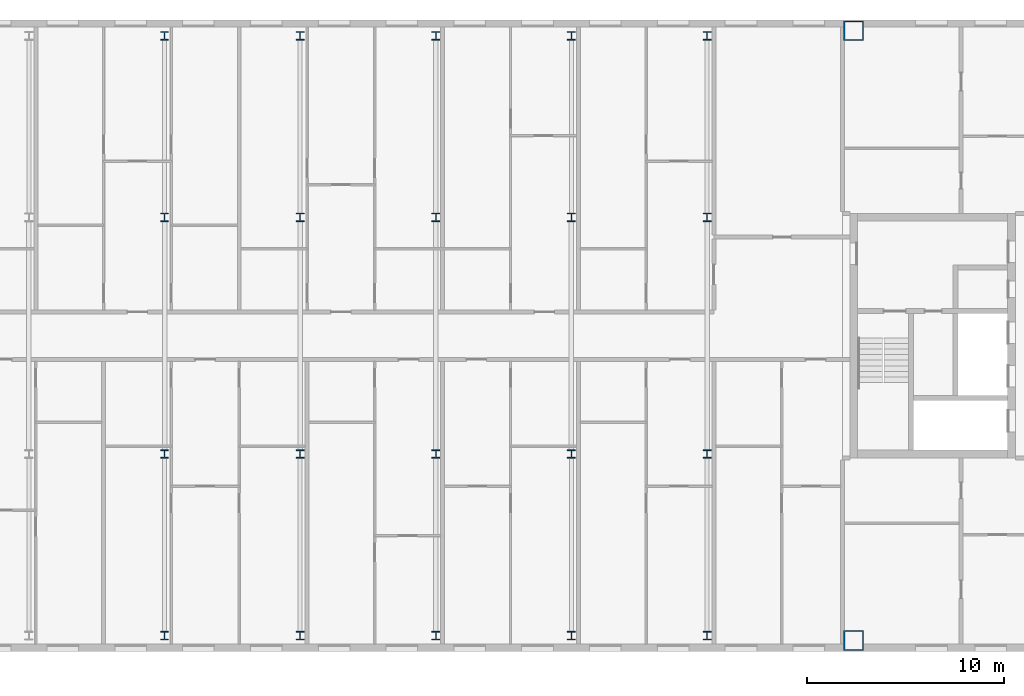
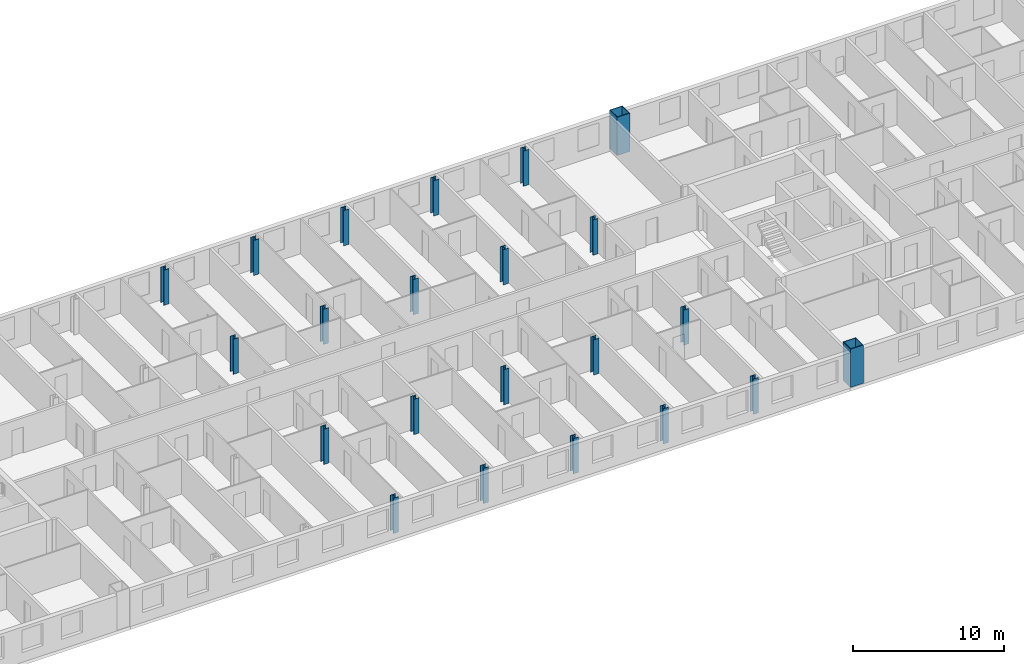
# One storey, part 2 of 19: 22 columns.
"""IFC4 building model written with IfcOpenShell, lengths in metres."""

from ifc_helpers import new_model, si_unit, direction, frame, origin, origin_2d, place, context, subcontext, project, spatial, hollow_rectangle, i_section, extrude, material, material_profile, profile_set, type_object, element, save


model = new_model("IFC4")

# Units and contexts
model_context = context("Model", 3, precision=1e-05, world=origin(), true_north=direction((0.0, 1.0)))
body_context = subcontext(model_context, "Body", "Model", "MODEL_VIEW")
ifc_project = project(units=[si_unit("LENGTHUNIT", "METRE"), si_unit("AREAUNIT", "SQUARE_METRE"), si_unit("VOLUMEUNIT", "CUBIC_METRE"), si_unit("PLANEANGLEUNIT", "RADIAN"), si_unit("MASSUNIT", "GRAM", prefix="KILO")], contexts=[model_context])

# Site, building, storey
site_placement = place(None, origin())
site = spatial("IfcSite", under=ifc_project, at=site_placement, CompositionType="ELEMENT")
building_placement = place(site_placement, origin())
building = spatial("IfcBuilding", under=site, at=building_placement, Name="Tuart Gate Housing", CompositionType="ELEMENT")
storey_placement = place(building_placement, frame((0.0, 0.0, 230.699951171875)))
storey = spatial("IfcBuildingStorey", under=building, at=storey_placement, Name="L65", CompositionType="ELEMENT", Elevation=230.699951171875)

# Columns
ifc_material_1 = material(Name="Steel Grade 350", Category="steel")
ifc_material_profile_1 = material_profile(ifc_material_1, i_section(OverallWidth=0.39990234375, OverallDepth=0.429931640625, WebThickness=0.028076171875, FlangeThickness=0.0400390625, at=origin_2d()), Name="400WC328")
ifc_profile_set_1 = profile_set([ifc_material_profile_1], Name="Steel Grade 350")
column_type_1 = type_object("IfcColumnType", Name="Link column 400 WC328", PredefinedType="COLUMN", material=ifc_profile_set_1)
for number, where, z_axis, x_axis, name in (
    (1, (96.625, 54.800048828125, 0.0), (0.0, 0.0, 1.0), (1.0, 0.0, 0.0), "Link column line 1 point 3 L65"),
    (2, (103.5, 54.800048828125, 0.0), (0.0, 0.0, 1.0), (1.0, 0.0, 0.0), "Link column line 1 point 4 L65"),
    (3, (110.375, 54.800048828125, 0.0), (0.0, 0.0, 1.0), (1.0, 0.0, 0.0), "Link column line 1 point 5 L65"),
    (4, (117.25, 54.800048828125, 0.0), (0.0, 0.0, 1.0), (1.0, 0.0, 0.0), "Link column line 1 point 6 L65"),
    (5, (124.125, 54.800048828125, 0.0), (0.0, 0.0, 1.0), (1.0, 0.0, 0.0), "Link column line 1 point 7 L65"),
    (6, (96.625, 64.0, 0.0), (0.0, 0.0, 1.0), (1.0, 0.0, 0.0), "Link column line 2 point 3 L65"),
    (7, (103.5, 64.0, 0.0), (0.0, 0.0, 1.0), (1.0, 0.0, 0.0), "Link column line 2 point 4 L65"),
    (8, (110.375, 64.0, 0.0), (0.0, 0.0, 1.0), (1.0, 0.0, 0.0), "Link column line 2 point 5 L65"),
    (9, (117.25, 64.0, 0.0), (0.0, 0.0, 1.0), (1.0, 0.0, 0.0), "Link column line 2 point 6 L65"),
    (10, (124.125, 64.0, 0.0), (0.0, 0.0, 1.0), (1.0, 0.0, 0.0), "Link column line 2 point 7 L65"),
    (11, (96.625, 76.0, 0.0), (0.0, 0.0, 1.0), (1.0, 0.0, 0.0), "Link column line 3 point 3 L65"),
    (12, (103.5, 76.0, 0.0), (0.0, 0.0, 1.0), (1.0, 0.0, 0.0), "Link column line 3 point 4 L65"),
    (13, (110.375, 76.0, 0.0), (0.0, 0.0, 1.0), (1.0, 0.0, 0.0), "Link column line 3 point 5 L65"),
    (14, (117.25, 76.0, 0.0), (0.0, 0.0, 1.0), (1.0, 0.0, 0.0), "Link column line 3 point 6 L65"),
    (15, (124.125, 76.0, 0.0), (0.0, 0.0, 1.0), (1.0, 0.0, 0.0), "Link column line 3 point 7 L65"),
    (16, (96.625, 85.199951171875, 0.0), (0.0, 0.0, 1.0), (1.0, 0.0, 0.0), "Link column line 4 point 3 L65"),
    (17, (103.5, 85.199951171875, 0.0), (0.0, 0.0, 1.0), (1.0, 0.0, 0.0), "Link column line 4 point 4 L65"),
    (18, (110.375, 85.199951171875, 0.0), (0.0, 0.0, 1.0), (1.0, 0.0, 0.0), "Link column line 4 point 5 L65"),
    (19, (117.25, 85.199951171875, 0.0), (0.0, 0.0, 1.0), (1.0, 0.0, 0.0), "Link column line 4 point 6 L65"),
    (20, (124.125, 85.199951171875, 0.0), (0.0, 0.0, 1.0), (1.0, 0.0, 0.0), "Link column line 4 point 7 L65"),
):
    element("IfcColumn", number, at=place(storey_placement, frame(where, z_axis=z_axis, x_axis=x_axis)), inside=storey, type_object=column_type_1, Name=name, PredefinedType="COLUMN", context=body_context, shape_type="SweptSolid", body=[
        extrude(i_section(OverallWidth=0.39990234375, OverallDepth=0.429931640625, WebThickness=0.028076171875, FlangeThickness=0.0400390625, at=origin_2d()), origin(), (0.0, 0.0, 1.0), 2.85009765625),
    ])
ifc_material_2 = material(Name="Steel Grade 350", Category="steel")
ifc_material_profile_2 = material_profile(ifc_material_2, hollow_rectangle(XDim=1.0, YDim=1.0, WallThickness=0.054931640625, at=origin_2d()), Name="BOX 1000x1000x55")
ifc_profile_set_2 = profile_set([ifc_material_profile_2], Name="Steel Grade 350")
column_type_2 = type_object("IfcColumnType", Name="Mega column BOX 1000x1000x55", PredefinedType="COLUMN", material=ifc_profile_set_2)
for number, where, z_axis, x_axis, name in (
    (21, (131.550048828125, 54.550048828125, 0.0), (0.0, 0.0, 1.0), (1.0, 0.0, 0.0), "Mega column B south-west L65"),
    (22, (131.550048828125, 85.449951171875, 0.0), (0.0, 0.0, 1.0), (1.0, 0.0, 0.0), "Mega column B north-west L65"),
):
    element("IfcColumn", number, at=place(storey_placement, frame(where, z_axis=z_axis, x_axis=x_axis)), inside=storey, type_object=column_type_2, Name=name, PredefinedType="COLUMN", context=body_context, shape_type="SweptSolid", body=[
        extrude(hollow_rectangle(XDim=1.0, YDim=1.0, WallThickness=0.054931640625, at=origin_2d()), origin(), (0.0, 0.0, 1.0), 3.10009765625),
    ])

save(model, "model.ifc")
